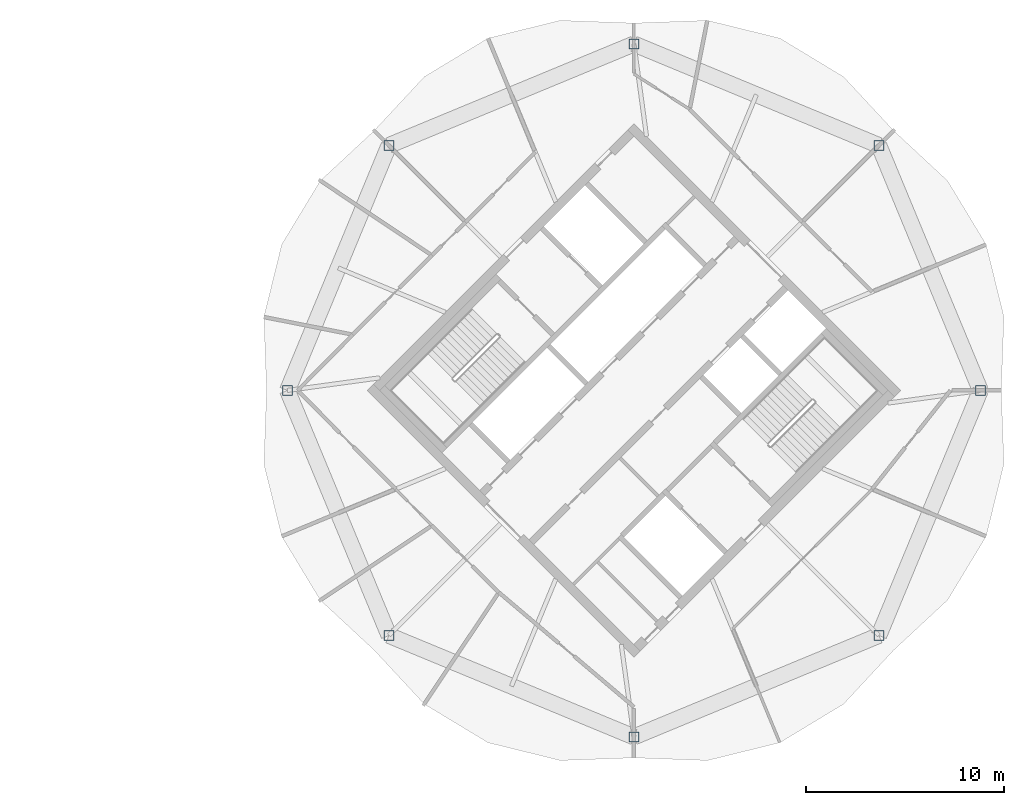
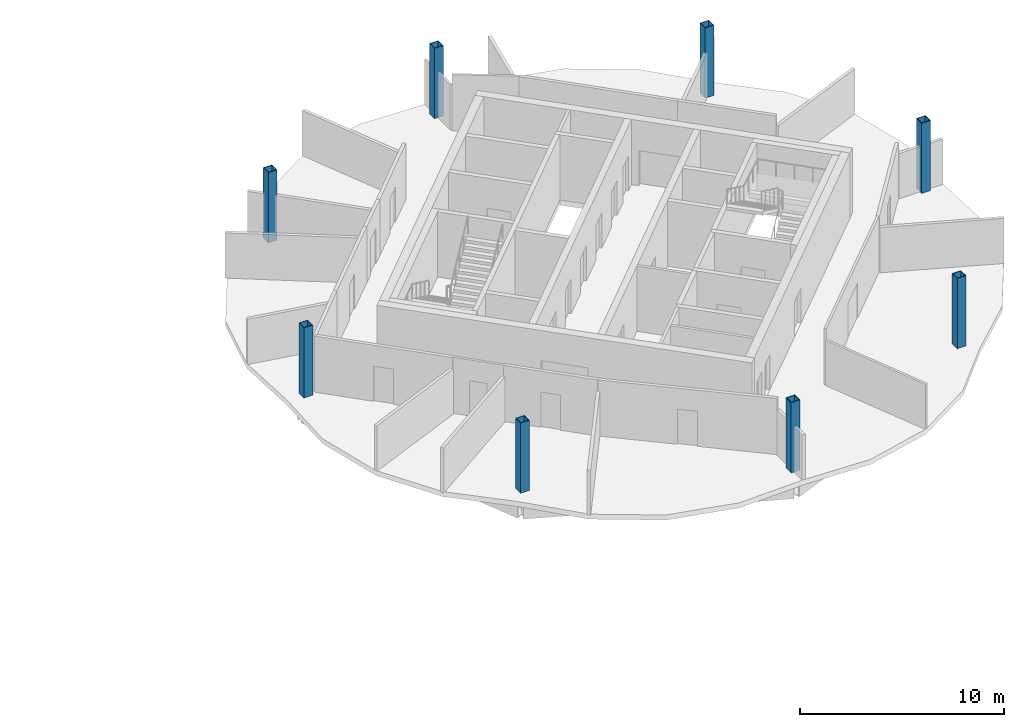
# One storey, part 2 of 11: 8 columns.
"""IFC4 building model written with IfcOpenShell, lengths in metres."""

from ifc_helpers import new_model, si_unit, direction, frame, origin, origin_2d, place, context, subcontext, project, spatial, hollow_rectangle, extrude, material, material_profile, profile_set, type_object, element, save


model = new_model("IFC4")

# Units and contexts
model_context = context("Model", 3, precision=1e-05, world=origin(), true_north=direction((0.0, 1.0)))
body_context = subcontext(model_context, "Body", "Model", "MODEL_VIEW")
ifc_project = project(units=[si_unit("LENGTHUNIT", "METRE"), si_unit("AREAUNIT", "SQUARE_METRE"), si_unit("VOLUMEUNIT", "CUBIC_METRE"), si_unit("PLANEANGLEUNIT", "RADIAN"), si_unit("MASSUNIT", "GRAM", prefix="KILO")], contexts=[model_context])

# Site, building, storey
site_placement = place(None, origin())
site = spatial("IfcSite", under=ifc_project, at=site_placement, CompositionType="ELEMENT")
building_placement = place(site_placement, origin())
building = spatial("IfcBuilding", under=site, at=building_placement, Name="Ogive Gate Towers", CompositionType="ELEMENT")
storey_placement = place(building_placement, frame((0.0, 0.0, 281.39990234375)))
storey = spatial("IfcBuildingStorey", under=building, at=storey_placement, Name="L66", CompositionType="ELEMENT", Elevation=281.39990234375)

# Columns
ifc_material = material(Name="Steel SM460", Category="steel")
ifc_material_profile = material_profile(ifc_material, hollow_rectangle(XDim=0.5, YDim=0.5, WallThickness=0.030029296875, at=origin_2d()), Name="BX 500x500x30")
ifc_profile_set = profile_set([ifc_material_profile], Name="Steel SM460")
column_type = type_object("IfcColumnType", Name="Perimeter post BX 500x500x30", PredefinedType="COLUMN", material=ifc_profile_set)
for number, where, z_axis, x_axis, name in (
    (1, (53.455078125, 0.0, 0.0), (0.0, 0.0, 1.0), (1.0, 0.0, 0.0), "T2/L66/SCL001"),
    (2, (48.342529296875, 12.342529296875, 0.0), (0.0, 0.0, 1.0), (1.0, 0.0, 0.0), "T2/L66/SCL002"),
    (3, (36.0, 17.455078125, 0.0), (0.0, 0.0, 1.0), (1.0, 0.0, 0.0), "T2/L66/SCL003"),
    (4, (23.657470703125, 12.342529296875, 0.0), (0.0, 0.0, 1.0), (1.0, 0.0, 0.0), "T2/L66/SCL004"),
    (5, (18.544921875, 0.0, 0.0), (0.0, 0.0, 1.0), (1.0, 0.0, 0.0), "T2/L66/SCL005"),
    (6, (23.657470703125, -12.342529296875, 0.0), (0.0, 0.0, 1.0), (1.0, 0.0, 0.0), "T2/L66/SCL006"),
    (7, (36.0, -17.455078125, 0.0), (0.0, 0.0, 1.0), (1.0, 0.0, 0.0), "T2/L66/SCL007"),
    (8, (48.342529296875, -12.342529296875, 0.0), (0.0, 0.0, 1.0), (1.0, 0.0, 0.0), "T2/L66/SCL008"),
):
    element("IfcColumn", number, at=place(storey_placement, frame(where, z_axis=z_axis, x_axis=x_axis)), inside=storey, type_object=column_type, Name=name, PredefinedType="COLUMN", context=body_context, shape_type="SweptSolid", body=[
        extrude(hollow_rectangle(XDim=0.5, YDim=0.5, WallThickness=0.030029296875, at=origin_2d()), origin(), (0.0, 0.0, 1.0), 4.2001953125),
    ])

save(model, "model.ifc")
